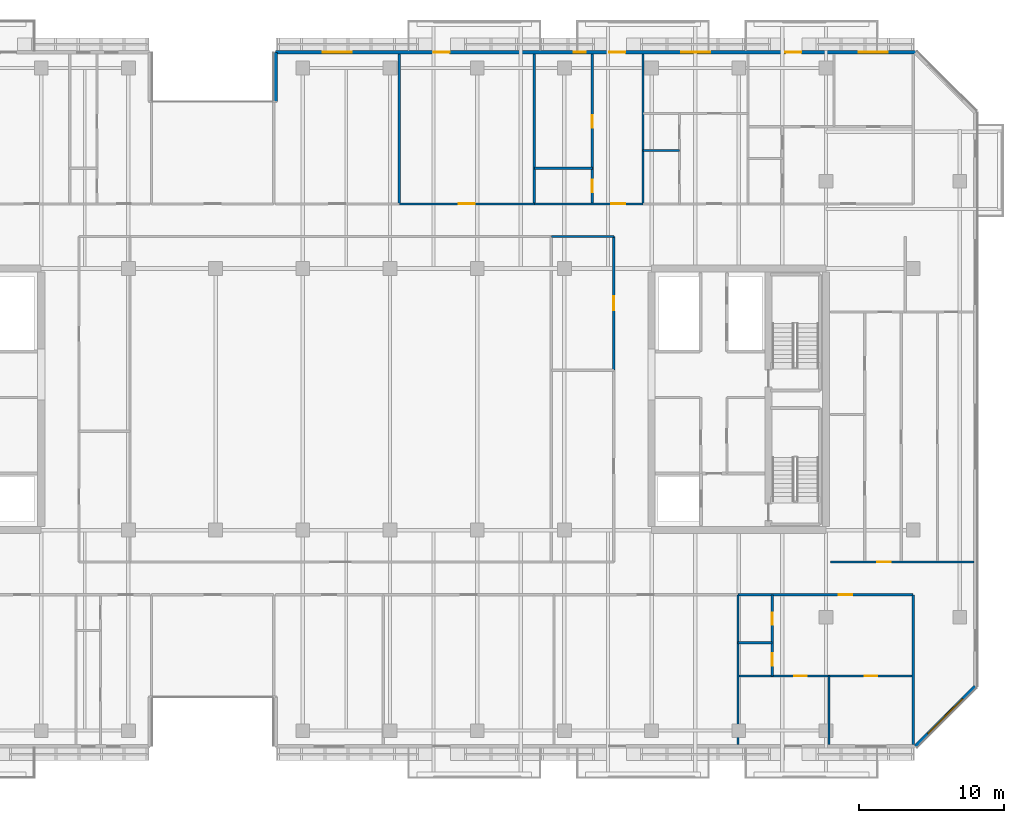
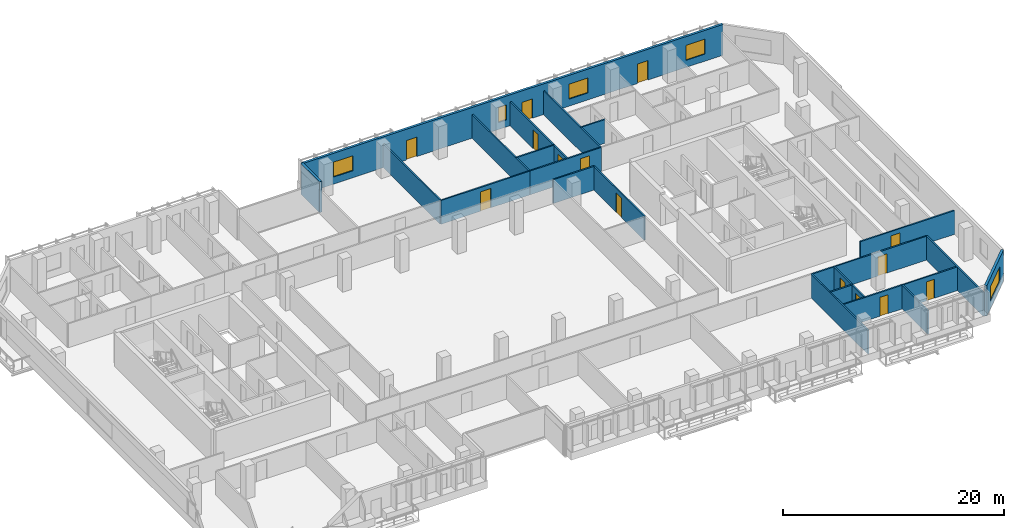
# One storey, part 13 of 22: 21 walls, 14 doors, 5 windows, 19 openings.
"""IFC4 building model written with IfcOpenShell, lengths in metres."""

from ifc_helpers import new_model, si_unit, direction, frame, frame_2d, origin, place, context, subcontext, project, spatial, rectangle, extrude, material, layer, layer_set, type_object, element, fill, save


model = new_model("IFC4")

# Units and contexts
model_context = context("Model", 3, precision=1e-05, world=origin(), true_north=direction((0.0, 1.0)))
body_context = subcontext(model_context, "Body", "Model", "MODEL_VIEW")
ifc_project = project(units=[si_unit("LENGTHUNIT", "METRE"), si_unit("AREAUNIT", "SQUARE_METRE"), si_unit("VOLUMEUNIT", "CUBIC_METRE"), si_unit("PLANEANGLEUNIT", "RADIAN"), si_unit("MASSUNIT", "GRAM", prefix="KILO")], contexts=[model_context])

# Site, building, storey
site_placement = place(None, origin())
site = spatial("IfcSite", under=ifc_project, at=site_placement, CompositionType="ELEMENT")
building_placement = place(site_placement, origin())
building = spatial("IfcBuilding", under=site, at=building_placement, Name="Tanjung Sevakor Pilgrim Tower", CompositionType="ELEMENT")
storey_placement = place(building_placement, frame((0.0, 0.0, 115.830078125)))
storey = spatial("IfcBuildingStorey", under=building, at=storey_placement, Name="L32", CompositionType="ELEMENT", Elevation=115.830078125)

# Wall
ifc_material_1 = material(Name="Concrete C40/50", Category="concrete")
ifc_layer_1 = layer(ifc_material_1, 0.14990234375)
ifc_layer_set_1 = layer_set([ifc_layer_1], Name="WT-COMP-150")
wall_type_1 = type_object("IfcWallType", Name="WT-COMP-150", PredefinedType="SOLIDWALL", material=ifc_layer_set_1)
wall_1_placement = place(storey_placement, frame((71.10009765625, 44.800048828125, 0.0), z_axis=(0.0, 0.0, 1.0), x_axis=(1.0, 0.0, 0.0)))
element("IfcWall", 1, at=wall_1_placement, inside=storey, type_object=wall_type_1, Name="L32 Partition IW-L32-033", PredefinedType="SOLIDWALL", context=body_context, shape_type="SweptSolid", body=[
    extrude(rectangle(XDim=4.2998046875, YDim=0.14990234375, at=frame_2d((2.14990234375, 0.0))), origin(), (0.0, 0.0, 1.0), 2.6298828125),
])

# Wall, opening, door
wall_2_placement = place(storey_placement, frame((75.39990234375, 35.60009765625, 0.0), z_axis=(0.0, 0.0, 1.0), x_axis=(0.0, 1.0, 0.0)))
wall_2 = element("IfcWall", 2, at=wall_2_placement, inside=storey, type_object=wall_type_1, Name="L32 Partition IW-L32-034", PredefinedType="SOLIDWALL", context=body_context, shape_type="SweptSolid", body=[
    extrude(rectangle(XDim=9.199951171875, YDim=0.14990234375, at=frame_2d((4.60009765625, 0.0))), origin(), (0.0, 0.0, 1.0), 2.6298828125),
])
opening_1_placement = place(wall_2_placement, frame((4.125, 0.0, 0.0)))
opening_1 = element("IfcOpeningElement", 3, at=opening_1_placement, cuts=wall_2, Name="Opening ID-RM1", PredefinedType="OPENING", context=body_context, shape_type="SweptSolid", body=[
    extrude(rectangle(XDim=0.949951171875, YDim=2.14990234375, at=frame_2d((0.47509765625, 1.074951171875))), frame((0.0, 0.0849609375, 0.0), z_axis=(0.0, -1.0, 0.0), x_axis=(1.0, 0.0, 0.0)), (0.0, 0.0, 1.0), 0.169921875),
])
ifc_material_2 = material(Name="Hardwood Timber", Category="wood")
door_type_1 = type_object("IfcDoorType", Name="DT-INT-950", OperationType="NOTDEFINED", PredefinedType="DOOR", material=ifc_material_2)
door_1_placement = place(opening_1_placement, origin())
door_1 = element("IfcDoor", 4, at=door_1_placement, inside=storey, type_object=door_type_1, Name="L32 Female Washroom Door", OperationType="SINGLE_SWING_RIGHT", OverallHeight=2.14990234375, OverallWidth=0.949951171875, PredefinedType="DOOR", context=body_context, shape_type="SweptSolid", body=[
    extrude(rectangle(XDim=0.949951171875, YDim=2.14990234375, at=frame_2d((0.47509765625, 1.074951171875))), frame((0.0, 0.02490234375, 0.0), z_axis=(0.0, -1.0, 0.0), x_axis=(1.0, 0.0, 0.0)), (0.0, 0.0, 1.0), 0.050048828125),
])
fill(opening_1, door_1)

wall_3_placement = place(storey_placement, frame((90.320068359375, 22.39990234375, 0.0), z_axis=(0.0, 0.0, 1.0), x_axis=(1.0, 0.0, 0.0)))
wall_3 = element("IfcWall", 5, at=wall_3_placement, inside=storey, type_object=wall_type_1, Name="L32 Partition IW-L32-042", PredefinedType="SOLIDWALL", context=body_context, shape_type="SweptSolid", body=[
    extrude(rectangle(XDim=9.869873046875, YDim=0.14990234375, at=frame_2d((4.93505859375, 0.0))), origin(), (0.0, 0.0, 1.0), 2.6298828125),
])
opening_2_placement = place(wall_3_placement, frame((3.193359375, 0.0, 0.0)))
opening_2 = element("IfcOpeningElement", 6, at=opening_2_placement, cuts=wall_3, Name="Opening ID-FD2", PredefinedType="OPENING", context=body_context, shape_type="SweptSolid", body=[
    extrude(rectangle(XDim=0.949951171875, YDim=2.14990234375, at=frame_2d((0.47509765625, 1.074951171875))), frame((0.0, 0.0849609375, 0.0), z_axis=(0.0, -1.0, 0.0), x_axis=(1.0, 0.0, 0.0)), (0.0, 0.0, 1.0), 0.169921875),
])
ifc_material_3 = material(Name="Fire-Rated Timber", Category="wood")
door_type_2 = type_object("IfcDoorType", Name="DT-FIRE-950", OperationType="NOTDEFINED", PredefinedType="DOOR", material=ifc_material_3)
door_2_placement = place(opening_2_placement, origin())
door_2 = element("IfcDoor", 7, at=door_2_placement, inside=storey, type_object=door_type_2, Name="Suite Entrance", OperationType="SINGLE_SWING_RIGHT", OverallHeight=2.14990234375, OverallWidth=0.949951171875, PredefinedType="DOOR", context=body_context, shape_type="SweptSolid", body=[
    extrude(rectangle(XDim=0.949951171875, YDim=2.14990234375, at=frame_2d((0.47509765625, 1.074951171875))), frame((0.0, 0.02490234375, 0.0), z_axis=(0.0, -1.0, 0.0), x_axis=(1.0, 0.0, 0.0)), (0.0, 0.0, 1.0), 0.050048828125),
])
fill(opening_2, door_2)

# Walls
for number, where, z_axis, x_axis, name in (
    (8, (96.0, 9.85009765625, 0.0), (0.0, 0.0, 1.0), (0.0, 1.0, 0.0), "L32 Partition IW-L32-057"),
    (9, (83.948486328125, 9.85009765625, 0.0), (0.0, 0.0, 1.0), (0.0, 1.0, 0.0), "L32 Partition IW-L32-062"),
):
    element("IfcWall", number, at=place(storey_placement, frame(where, z_axis=z_axis, x_axis=x_axis)), inside=storey, type_object=wall_type_1, Name=name, PredefinedType="SOLIDWALL", context=body_context, shape_type="SweptSolid", body=[
        extrude(rectangle(XDim=10.2998046875, YDim=0.14990234375, at=frame_2d((5.14990234375, 0.0))), origin(), (0.0, 0.0, 1.0), 2.6298828125),
    ])

# Wall, opening, door
wall_4_placement = place(storey_placement, frame((83.948486328125, 20.14990234375, 0.0), z_axis=(0.0, 0.0, 1.0), x_axis=(1.0, 0.0, 0.0)))
wall_4 = element("IfcWall", 10, at=wall_4_placement, inside=storey, type_object=wall_type_1, Name="L32 Partition IW-L32-068", PredefinedType="SOLIDWALL", context=body_context, shape_type="SweptSolid", body=[
    extrude(rectangle(XDim=12.051513671875, YDim=0.14990234375, at=frame_2d((6.02587890625, 0.0))), origin(), (0.0, 0.0, 1.0), 2.6298828125),
])
opening_3_placement = place(wall_4_placement, frame((6.915771484375, 0.0, 0.0)))
opening_3 = element("IfcOpeningElement", 11, at=opening_3_placement, cuts=wall_4, Name="Opening ID-FD2", PredefinedType="OPENING", context=body_context, shape_type="SweptSolid", body=[
    extrude(rectangle(XDim=0.949951171875, YDim=2.14990234375, at=frame_2d((0.47509765625, 1.074951171875))), frame((0.0, 0.0849609375, 0.0), z_axis=(0.0, -1.0, 0.0), x_axis=(1.0, 0.0, 0.0)), (0.0, 0.0, 1.0), 0.169921875),
])
door_3_placement = place(opening_3_placement, origin())
door_3 = element("IfcDoor", 12, at=door_3_placement, inside=storey, type_object=door_type_2, Name="Suite Entrance", OperationType="SINGLE_SWING_LEFT", OverallHeight=2.14990234375, OverallWidth=0.949951171875, PredefinedType="DOOR", context=body_context, shape_type="SweptSolid", body=[
    extrude(rectangle(XDim=0.949951171875, YDim=2.14990234375, at=frame_2d((0.47509765625, 1.074951171875))), frame((0.0, 0.02490234375, 0.0), z_axis=(0.0, -1.0, 0.0), x_axis=(1.0, 0.0, 0.0)), (0.0, 0.0, 1.0), 0.050048828125),
])
fill(opening_3, door_3)

# Walls
for number, where, z_axis, x_axis, name in (
    (13, (60.637939453125, 47.050048828125, 0.0), (0.0, 0.0, 1.0), (0.0, 1.0, 0.0), "L32 Partition IW-L32-084"),
    (14, (69.93017578125, 47.050048828125, 0.0), (0.0, 0.0, 1.0), (0.0, 1.0, 0.0), "L32 Partition IW-L32-086"),
):
    element("IfcWall", number, at=place(storey_placement, frame(where, z_axis=z_axis, x_axis=x_axis)), inside=storey, type_object=wall_type_1, Name=name, PredefinedType="SOLIDWALL", context=body_context, shape_type="SweptSolid", body=[
        extrude(rectangle(XDim=10.300048828125, YDim=0.14990234375, at=frame_2d((5.14990234375, 0.0))), origin(), (0.0, 0.0, 1.0), 2.6298828125),
    ])

# Wall, opening, door
wall_5_placement = place(storey_placement, frame((60.637939453125, 47.050048828125, 0.0), z_axis=(0.0, 0.0, 1.0), x_axis=(1.0, 0.0, 0.0)))
wall_5 = element("IfcWall", 15, at=wall_5_placement, inside=storey, type_object=wall_type_1, Name="L32 Partition IW-L32-087", PredefinedType="SOLIDWALL", context=body_context, shape_type="SweptSolid", body=[
    extrude(rectangle(XDim=9.292236328125, YDim=0.14990234375, at=frame_2d((4.64599609375, 0.0))), origin(), (0.0, 0.0, 1.0), 2.6298828125),
])
opening_4_placement = place(wall_5_placement, frame((4.09619140625, 0.0, 0.0)))
opening_4 = element("IfcOpeningElement", 16, at=opening_4_placement, cuts=wall_5, Name="Opening ID-FD0", PredefinedType="OPENING", context=body_context, shape_type="SweptSolid", body=[
    extrude(rectangle(XDim=1.10009765625, YDim=2.14990234375, at=frame_2d((0.550048828125, 1.074951171875))), frame((0.0, 0.0849609375, 0.0), z_axis=(0.0, -1.0, 0.0), x_axis=(1.0, 0.0, 0.0)), (0.0, 0.0, 1.0), 0.169921875),
])
ifc_material_4 = material(Name="Fire-Rated Steel S355J2", Category="steel")
door_type_3 = type_object("IfcDoorType", Name="DT-FIRE-1100", OperationType="NOTDEFINED", PredefinedType="DOOR", material=ifc_material_4)
door_4_placement = place(opening_4_placement, origin())
door_4 = element("IfcDoor", 17, at=door_4_placement, inside=storey, type_object=door_type_3, Name="Council Room Door", OperationType="SINGLE_SWING_RIGHT", OverallHeight=2.14990234375, OverallWidth=1.10009765625, PredefinedType="DOOR", context=body_context, shape_type="SweptSolid", body=[
    extrude(rectangle(XDim=1.10009765625, YDim=2.14990234375, at=frame_2d((0.550048828125, 1.074951171875))), frame((0.0, 0.02490234375, 0.0), z_axis=(0.0, -1.0, 0.0), x_axis=(1.0, 0.0, 0.0)), (0.0, 0.0, 1.0), 0.050048828125),
])
fill(opening_4, door_4)

# Wall
wall_6_placement = place(storey_placement, frame((77.41552734375, 47.050048828125, 0.0), z_axis=(0.0, 0.0, 1.0), x_axis=(0.0, 1.0, 0.0)))
element("IfcWall", 18, at=wall_6_placement, inside=storey, type_object=wall_type_1, Name="L32 Partition IW-L32-088", PredefinedType="SOLIDWALL", context=body_context, shape_type="SweptSolid", body=[
    extrude(rectangle(XDim=10.300048828125, YDim=0.14990234375, at=frame_2d((5.14990234375, 0.0))), origin(), (0.0, 0.0, 1.0), 2.6298828125),
])

# Wall, opening, door
wall_7_placement = place(storey_placement, frame((69.93017578125, 47.050048828125, 0.0), z_axis=(0.0, 0.0, 1.0), x_axis=(1.0, 0.0, 0.0)))
wall_7 = element("IfcWall", 19, at=wall_7_placement, inside=storey, type_object=wall_type_1, Name="L32 Partition IW-L32-091", PredefinedType="SOLIDWALL", context=body_context, shape_type="SweptSolid", body=[
    extrude(rectangle(XDim=7.4853515625, YDim=0.14990234375, at=frame_2d((3.74267578125, 0.0))), origin(), (0.0, 0.0, 1.0), 2.6298828125),
])
opening_5_placement = place(wall_7_placement, frame((5.302490234375, 0.0, 0.0)))
opening_5 = element("IfcOpeningElement", 20, at=opening_5_placement, cuts=wall_7, Name="Opening ID-FD2", PredefinedType="OPENING", context=body_context, shape_type="SweptSolid", body=[
    extrude(rectangle(XDim=0.949951171875, YDim=2.14990234375, at=frame_2d((0.47509765625, 1.074951171875))), frame((0.0, 0.0849609375, 0.0), z_axis=(0.0, -1.0, 0.0), x_axis=(1.0, 0.0, 0.0)), (0.0, 0.0, 1.0), 0.169921875),
])
door_5_placement = place(opening_5_placement, origin())
door_5 = element("IfcDoor", 21, at=door_5_placement, inside=storey, type_object=door_type_2, Name="Hostel Quad Entrance", OperationType="SINGLE_SWING_LEFT", OverallHeight=2.14990234375, OverallWidth=0.949951171875, PredefinedType="DOOR", context=body_context, shape_type="SweptSolid", body=[
    extrude(rectangle(XDim=0.949951171875, YDim=2.14990234375, at=frame_2d((0.47509765625, 1.074951171875))), frame((0.0, 0.02490234375, 0.0), z_axis=(0.0, -1.0, 0.0), x_axis=(1.0, 0.0, 0.0)), (0.0, 0.0, 1.0), 0.050048828125),
])
fill(opening_5, door_5)

# Wall, opening, window
ifc_material_5 = material(Name="Precast concrete C45/55", Category="concrete")
ifc_layer_2 = layer(ifc_material_5, 0.25)
ifc_layer_set_2 = layer_set([ifc_layer_2], Name="WT-EW-STN3")
wall_type_2 = type_object("IfcWallType", Name="WT-EW-STN3", PredefinedType="SOLIDWALL", material=ifc_layer_set_2)
wall_8_placement = place(storey_placement, frame((96.148193359375, 9.72509765625, 0.0), z_axis=(0.0, 0.0, 1.0), x_axis=(0.707106781187, 0.707106781187, 0.0)))
wall_8 = element("IfcWall", 22, at=wall_8_placement, inside=storey, type_object=wall_type_2, Name="L32 MAIN Sculpted Corner Wall 5", PredefinedType="SOLIDWALL", context=body_context, shape_type="SweptSolid", body=[
    extrude(rectangle(XDim=5.8359375, YDim=0.25, at=frame_2d((2.91796875, 0.0))), origin(), (0.0, 0.0, 1.0), 3.409912109375),
])
opening_6_placement = place(wall_8_placement, frame((1.218017578125, 0.0, 0.780029296875)))
opening_6 = element("IfcOpeningElement", 23, at=opening_6_placement, cuts=wall_8, Name="Opening WN-CHM-1660", PredefinedType="OPENING", context=body_context, shape_type="SweptSolid", body=[
    extrude(rectangle(XDim=3.39990234375, YDim=1.659912109375, at=frame_2d((1.699951171875, 0.830078125))), frame((0.0, 0.135009765625, 0.0), z_axis=(0.0, -1.0, 0.0), x_axis=(1.0, 0.0, 0.0)), (0.0, 0.0, 1.0), 0.27001953125),
])
ifc_material_6 = material(Name="Thermally Broken Aluminium and Low-E Glass", Category="aluminium")
window_type_1 = type_object("IfcWindowType", Name="WTYP-WN-CHM-1660", PartitioningType="DOUBLE_PANEL_VERTICAL", PredefinedType="WINDOW", material=ifc_material_6)
window_1_placement = place(opening_6_placement, origin())
window_1 = element("IfcWindow", 24, at=window_1_placement, inside=storey, type_object=window_type_1, Name="L32 Facade Window 01", OverallHeight=1.659912109375, OverallWidth=3.39990234375, PartitioningType="SINGLE_PANEL", PredefinedType="WINDOW", context=body_context, shape_type="SweptSolid", body=[
    extrude(rectangle(XDim=3.39990234375, YDim=1.659912109375, at=frame_2d((1.699951171875, 0.830078125))), frame((0.0, 0.030029296875, 0.0), z_axis=(0.0, -1.0, 0.0), x_axis=(1.0, 0.0, 0.0)), (0.0, 0.0, 1.0), 0.06005859375),
])
fill(opening_6, window_1)

# Wall, openings, doors, windows
wall_9_placement = place(storey_placement, frame((96.148193359375, 57.47509765625, 0.0), z_axis=(0.0, 0.0, 1.0), x_axis=(-1.0, 0.0, 0.0)))
wall_9 = element("IfcWall", 25, at=wall_9_placement, inside=storey, type_object=wall_type_2, Name="L32 MAIN Exterior Wall 9", PredefinedType="SOLIDWALL", context=body_context, shape_type="SweptSolid", body=[
    extrude(rectangle(XDim=44.023193359375, YDim=0.25, at=frame_2d((22.01171875, 0.0))), origin(), (0.0, 0.0, 1.0), 3.409912109375),
])
opening_7_placement = place(wall_9_placement, frame((32.048095703125, 0.0, 0.0)))
opening_7 = element("IfcOpeningElement", 26, at=opening_7_placement, cuts=wall_9, Name="Opening ED-BAL-1100", PredefinedType="OPENING", context=body_context, shape_type="SweptSolid", body=[
    extrude(rectangle(XDim=1.10009765625, YDim=2.14990234375, at=frame_2d((0.550048828125, 1.074951171875))), frame((0.0, 0.135009765625, 0.0), z_axis=(0.0, -1.0, 0.0), x_axis=(1.0, 0.0, 0.0)), (0.0, 0.0, 1.0), 0.27001953125),
])
opening_8_placement = place(wall_9_placement, frame((19.9482421875, 0.0, 0.0)))
opening_8 = element("IfcOpeningElement", 27, at=opening_8_placement, cuts=wall_9, Name="Opening ED-BAL-1100", PredefinedType="OPENING", context=body_context, shape_type="SweptSolid", body=[
    extrude(rectangle(XDim=1.10009765625, YDim=2.14990234375, at=frame_2d((0.550048828125, 1.074951171875))), frame((0.0, 0.135009765625, 0.0), z_axis=(0.0, -1.0, 0.0), x_axis=(1.0, 0.0, 0.0)), (0.0, 0.0, 1.0), 0.27001953125),
])
opening_9_placement = place(wall_9_placement, frame((7.84814453125, 0.0, 0.0)))
opening_9 = element("IfcOpeningElement", 28, at=opening_9_placement, cuts=wall_9, Name="Opening ED-BAL-1100", PredefinedType="OPENING", context=body_context, shape_type="SweptSolid", body=[
    extrude(rectangle(XDim=1.10009765625, YDim=2.14990234375, at=frame_2d((0.550048828125, 1.074951171875))), frame((0.0, 0.135009765625, 0.0), z_axis=(0.0, -1.0, 0.0), x_axis=(1.0, 0.0, 0.0)), (0.0, 0.0, 1.0), 0.27001953125),
])
opening_10_placement = place(wall_9_placement, frame((38.769287109375, 0.0, 0.780029296875)))
opening_10 = element("IfcOpeningElement", 29, at=opening_10_placement, cuts=wall_9, Name="Opening WN-Z2-1660", PredefinedType="OPENING", context=body_context, shape_type="SweptSolid", body=[
    extrude(rectangle(XDim=2.0, YDim=1.659912109375, at=frame_2d((1.0, 0.830078125))), frame((0.0, 0.135009765625, 0.0), z_axis=(0.0, -1.0, 0.0), x_axis=(1.0, 0.0, 0.0)), (0.0, 0.0, 1.0), 0.27001953125),
])
opening_11_placement = place(wall_9_placement, frame((22.668212890625, 0.0, 0.780029296875)))
opening_11 = element("IfcOpeningElement", 30, at=opening_11_placement, cuts=wall_9, Name="Opening WN-SLM", PredefinedType="OPENING", context=body_context, shape_type="SweptSolid", body=[
    extrude(rectangle(XDim=0.85009765625, YDim=1.64990234375, at=frame_2d((0.425048828125, 0.824951171875))), frame((0.0, 0.135009765625, 0.0), z_axis=(0.0, -1.0, 0.0), x_axis=(1.0, 0.0, 0.0)), (0.0, 0.0, 1.0), 0.27001953125),
])
opening_12_placement = place(wall_9_placement, frame((14.119140625, 0.0, 0.780029296875)))
opening_12 = element("IfcOpeningElement", 31, at=opening_12_placement, cuts=wall_9, Name="Opening WN-Z2-1660", PredefinedType="OPENING", context=body_context, shape_type="SweptSolid", body=[
    extrude(rectangle(XDim=2.0, YDim=1.659912109375, at=frame_2d((1.0, 0.830078125))), frame((0.0, 0.135009765625, 0.0), z_axis=(0.0, -1.0, 0.0), x_axis=(1.0, 0.0, 0.0)), (0.0, 0.0, 1.0), 0.27001953125),
])
opening_13_placement = place(wall_9_placement, frame((1.8837890625, 0.0, 0.780029296875)))
opening_13 = element("IfcOpeningElement", 32, at=opening_13_placement, cuts=wall_9, Name="Opening WN-Z2-1660", PredefinedType="OPENING", context=body_context, shape_type="SweptSolid", body=[
    extrude(rectangle(XDim=2.0, YDim=1.659912109375, at=frame_2d((1.0, 0.830078125))), frame((0.0, 0.135009765625, 0.0), z_axis=(0.0, -1.0, 0.0), x_axis=(1.0, 0.0, 0.0)), (0.0, 0.0, 1.0), 0.27001953125),
])
ifc_material_7 = material(Name="Anodised Aluminium and Laminated Glass", Category="aluminium")
door_type_4 = type_object("IfcDoorType", Name="DTYP-ED-BAL-1100", OperationType="NOTDEFINED", PredefinedType="DOOR", material=ifc_material_7)
door_6_placement = place(opening_7_placement, frame((1.10009765625, 0.0, 0.0), z_axis=(0.0, 0.0, 1.0), x_axis=(-1.0, 0.0, 0.0)))
door_6 = element("IfcDoor", 33, at=door_6_placement, inside=storey, type_object=door_type_4, Name="L32 Balcony Door MAIN-N2", OperationType="SINGLE_SWING_LEFT", OverallHeight=2.14990234375, OverallWidth=1.10009765625, PredefinedType="DOOR", context=body_context, shape_type="SweptSolid", body=[
    extrude(rectangle(XDim=1.10009765625, YDim=2.14990234375, at=frame_2d((0.550048828125, 1.074951171875))), frame((0.0, 0.02490234375, 0.0), z_axis=(0.0, -1.0, 0.0), x_axis=(1.0, 0.0, 0.0)), (0.0, 0.0, 1.0), 0.050048828125),
])
fill(opening_7, door_6)
door_7_placement = place(opening_8_placement, frame((1.10009765625, 0.0, 0.0), z_axis=(0.0, 0.0, 1.0), x_axis=(-1.0, 0.0, 0.0)))
door_7 = element("IfcDoor", 34, at=door_7_placement, inside=storey, type_object=door_type_4, Name="L32 Balcony Door MAIN-N3", OperationType="SINGLE_SWING_RIGHT", OverallHeight=2.14990234375, OverallWidth=1.10009765625, PredefinedType="DOOR", context=body_context, shape_type="SweptSolid", body=[
    extrude(rectangle(XDim=1.10009765625, YDim=2.14990234375, at=frame_2d((0.550048828125, 1.074951171875))), frame((0.0, 0.02490234375, 0.0), z_axis=(0.0, -1.0, 0.0), x_axis=(1.0, 0.0, 0.0)), (0.0, 0.0, 1.0), 0.050048828125),
])
fill(opening_8, door_7)
door_8_placement = place(opening_9_placement, frame((1.10009765625, 0.0, 0.0), z_axis=(0.0, 0.0, 1.0), x_axis=(-1.0, 0.0, 0.0)))
door_8 = element("IfcDoor", 35, at=door_8_placement, inside=storey, type_object=door_type_4, Name="L32 Balcony Door MAIN-N4", OperationType="SINGLE_SWING_LEFT", OverallHeight=2.14990234375, OverallWidth=1.10009765625, PredefinedType="DOOR", context=body_context, shape_type="SweptSolid", body=[
    extrude(rectangle(XDim=1.10009765625, YDim=2.14990234375, at=frame_2d((0.550048828125, 1.074951171875))), frame((0.0, 0.02490234375, 0.0), z_axis=(0.0, -1.0, 0.0), x_axis=(1.0, 0.0, 0.0)), (0.0, 0.0, 1.0), 0.050048828125),
])
fill(opening_9, door_8)
ifc_material_8 = material(Name="Thermally Broken Aluminium and Low-E Glass", Category="aluminium")
window_type_2 = type_object("IfcWindowType", Name="WTYP-WN-SLM", PartitioningType="SINGLE_PANEL", PredefinedType="WINDOW", material=ifc_material_8)
window_2_placement = place(opening_11_placement, origin())
window_2 = element("IfcWindow", 36, at=window_2_placement, inside=storey, type_object=window_type_2, Name="L32 Facade Window 02", OverallHeight=1.64990234375, OverallWidth=0.85009765625, PartitioningType="SINGLE_PANEL", PredefinedType="WINDOW", context=body_context, shape_type="SweptSolid", body=[
    extrude(rectangle(XDim=0.85009765625, YDim=1.64990234375, at=frame_2d((0.425048828125, 0.824951171875))), frame((0.0, 0.030029296875, 0.0), z_axis=(0.0, -1.0, 0.0), x_axis=(1.0, 0.0, 0.0)), (0.0, 0.0, 1.0), 0.06005859375),
])
fill(opening_11, window_2)
ifc_material_9 = material(Name="Thermally Broken Aluminium and Low-E Glass", Category="aluminium")
window_type_3 = type_object("IfcWindowType", Name="WTYP-WN-Z2-1660", PartitioningType="DOUBLE_PANEL_VERTICAL", PredefinedType="WINDOW", material=ifc_material_9)
window_3_placement = place(opening_10_placement, origin())
window_3 = element("IfcWindow", 37, at=window_3_placement, inside=storey, type_object=window_type_3, Name="L32 Facade Window 01", OverallHeight=1.659912109375, OverallWidth=2.0, PartitioningType="SINGLE_PANEL", PredefinedType="WINDOW", context=body_context, shape_type="SweptSolid", body=[
    extrude(rectangle(XDim=2.0, YDim=1.659912109375, at=frame_2d((1.0, 0.830078125))), frame((0.0, 0.030029296875, 0.0), z_axis=(0.0, -1.0, 0.0), x_axis=(1.0, 0.0, 0.0)), (0.0, 0.0, 1.0), 0.06005859375),
])
fill(opening_10, window_3)
window_4_placement = place(opening_12_placement, origin())
window_4 = element("IfcWindow", 38, at=window_4_placement, inside=storey, type_object=window_type_3, Name="L32 Facade Window 03", OverallHeight=1.659912109375, OverallWidth=2.0, PartitioningType="SINGLE_PANEL", PredefinedType="WINDOW", context=body_context, shape_type="SweptSolid", body=[
    extrude(rectangle(XDim=2.0, YDim=1.659912109375, at=frame_2d((1.0, 0.830078125))), frame((0.0, 0.030029296875, 0.0), z_axis=(0.0, -1.0, 0.0), x_axis=(1.0, 0.0, 0.0)), (0.0, 0.0, 1.0), 0.06005859375),
])
fill(opening_12, window_4)
window_5_placement = place(opening_13_placement, origin())
window_5 = element("IfcWindow", 39, at=window_5_placement, inside=storey, type_object=window_type_3, Name="L32 Facade Window 04", OverallHeight=1.659912109375, OverallWidth=2.0, PartitioningType="SINGLE_PANEL", PredefinedType="WINDOW", context=body_context, shape_type="SweptSolid", body=[
    extrude(rectangle(XDim=2.0, YDim=1.659912109375, at=frame_2d((1.0, 0.830078125))), frame((0.0, 0.030029296875, 0.0), z_axis=(0.0, -1.0, 0.0), x_axis=(1.0, 0.0, 0.0)), (0.0, 0.0, 1.0), 0.06005859375),
])
fill(opening_13, window_5)

# Walls
wall_10_placement = place(storey_placement, frame((52.125, 57.47509765625, 0.0), z_axis=(0.0, 0.0, 1.0), x_axis=(0.0, -1.0, 0.0)))
element("IfcWall", 40, at=wall_10_placement, inside=storey, type_object=wall_type_2, Name="L32 MAIN Exterior Wall 10", PredefinedType="SOLIDWALL", context=body_context, shape_type="SweptSolid", body=[
    extrude(rectangle(XDim=3.400146484375, YDim=0.25, at=frame_2d((1.7001953125, 0.0))), origin(), (0.0, 0.0, 1.0), 3.409912109375),
])
ifc_material_10 = material(Name="Gypsum Board Partition", Category="gypsum board")
ifc_layer_3 = layer(ifc_material_10, 0.14990234375)
ifc_layer_set_3 = layer_set([ifc_layer_3], Name="WT-PART-150")
wall_type_3 = type_object("IfcWallType", Name="WT-PART-150", PredefinedType="PARTITIONING", material=ifc_layer_set_3)
wall_11_placement = place(storey_placement, frame((83.948486328125, 16.850341796875, 0.0), z_axis=(0.0, 0.0, 1.0), x_axis=(1.0, 0.0, 0.0)))
element("IfcWall", 41, at=wall_11_placement, inside=storey, type_object=wall_type_3, Name="L32 Partition IW-L32-064", PredefinedType="PARTITIONING", context=body_context, shape_type="SweptSolid", body=[
    extrude(rectangle(XDim=2.349853515625, YDim=0.14990234375, at=frame_2d((1.1748046875, 0.0))), origin(), (0.0, 0.0, 1.0), 2.6298828125),
])

# Wall, openings, doors
wall_12_placement = place(storey_placement, frame((86.29833984375, 14.557373046875, 0.0), z_axis=(0.0, 0.0, 1.0), x_axis=(0.0, 1.0, 0.0)))
wall_12 = element("IfcWall", 42, at=wall_12_placement, inside=storey, type_object=wall_type_3, Name="L32 Partition IW-L32-065", PredefinedType="PARTITIONING", context=body_context, shape_type="SweptSolid", body=[
    extrude(rectangle(XDim=5.592529296875, YDim=0.14990234375, at=frame_2d((2.79638671875, 0.0))), origin(), (0.0, 0.0, 1.0), 2.6298828125),
])
opening_14_placement = place(wall_12_placement, frame((0.721435546875, 0.0, 0.0)))
opening_14 = element("IfcOpeningElement", 43, at=opening_14_placement, cuts=wall_12, Name="Opening ID-WC1", PredefinedType="OPENING", context=body_context, shape_type="SweptSolid", body=[
    extrude(rectangle(XDim=0.85009765625, YDim=2.10009765625, at=frame_2d((0.425048828125, 1.050048828125))), frame((0.0, 0.0849609375, 0.0), z_axis=(0.0, -1.0, 0.0), x_axis=(1.0, 0.0, 0.0)), (0.0, 0.0, 1.0), 0.169921875),
])
opening_15_placement = place(wall_12_placement, frame((3.517822265625, 0.0, 0.0)))
opening_15 = element("IfcOpeningElement", 44, at=opening_15_placement, cuts=wall_12, Name="Opening ID-WC1", PredefinedType="OPENING", context=body_context, shape_type="SweptSolid", body=[
    extrude(rectangle(XDim=0.85009765625, YDim=2.10009765625, at=frame_2d((0.425048828125, 1.050048828125))), frame((0.0, 0.0849609375, 0.0), z_axis=(0.0, -1.0, 0.0), x_axis=(1.0, 0.0, 0.0)), (0.0, 0.0, 1.0), 0.169921875),
])
ifc_material_11 = material(Name="Moisture-Resistant Timber", Category="wood")
door_type_5 = type_object("IfcDoorType", Name="DT-INT-850", OperationType="NOTDEFINED", PredefinedType="DOOR", material=ifc_material_11)
door_9_placement = place(opening_14_placement, origin())
door_9 = element("IfcDoor", 45, at=door_9_placement, inside=storey, type_object=door_type_5, Name="Suite Bathroom Door", OperationType="SINGLE_SWING_LEFT", OverallHeight=2.10009765625, OverallWidth=0.85009765625, PredefinedType="DOOR", context=body_context, shape_type="SweptSolid", body=[
    extrude(rectangle(XDim=0.85009765625, YDim=2.10009765625, at=frame_2d((0.425048828125, 1.050048828125))), frame((0.0, 0.02490234375, 0.0), z_axis=(0.0, -1.0, 0.0), x_axis=(1.0, 0.0, 0.0)), (0.0, 0.0, 1.0), 0.050048828125),
])
fill(opening_14, door_9)
door_10_placement = place(opening_15_placement, origin())
door_10 = element("IfcDoor", 46, at=door_10_placement, inside=storey, type_object=door_type_5, Name="Suite Kitchenette Door", OperationType="SINGLE_SWING_RIGHT", OverallHeight=2.10009765625, OverallWidth=0.85009765625, PredefinedType="DOOR", context=body_context, shape_type="SweptSolid", body=[
    extrude(rectangle(XDim=0.85009765625, YDim=2.10009765625, at=frame_2d((0.425048828125, 1.050048828125))), frame((0.0, 0.02490234375, 0.0), z_axis=(0.0, -1.0, 0.0), x_axis=(1.0, 0.0, 0.0)), (0.0, 0.0, 1.0), 0.050048828125),
])
fill(opening_15, door_10)

# Wall
wall_13_placement = place(storey_placement, frame((90.215087890625, 9.85009765625, 0.0), z_axis=(0.0, 0.0, 1.0), x_axis=(0.0, 1.0, 0.0)))
element("IfcWall", 47, at=wall_13_placement, inside=storey, type_object=wall_type_3, Name="L32 Partition IW-L32-066", PredefinedType="PARTITIONING", context=body_context, shape_type="SweptSolid", body=[
    extrude(rectangle(XDim=4.707275390625, YDim=0.14990234375, at=frame_2d((2.353515625, 0.0))), origin(), (0.0, 0.0, 1.0), 2.6298828125),
])

# Wall, openings, doors
wall_14_placement = place(storey_placement, frame((83.948486328125, 14.557373046875, 0.0), z_axis=(0.0, 0.0, 1.0), x_axis=(1.0, 0.0, 0.0)))
wall_14 = element("IfcWall", 48, at=wall_14_placement, inside=storey, type_object=wall_type_3, Name="L32 Partition IW-L32-067", PredefinedType="PARTITIONING", context=body_context, shape_type="SweptSolid", body=[
    extrude(rectangle(XDim=12.051513671875, YDim=0.14990234375, at=frame_2d((6.02587890625, 0.0))), origin(), (0.0, 0.0, 1.0), 2.6298828125),
])
opening_16_placement = place(wall_14_placement, frame((3.88330078125, 0.0, 0.0)))
opening_16 = element("IfcOpeningElement", 49, at=opening_16_placement, cuts=wall_14, Name="Opening ID-WC1", PredefinedType="OPENING", context=body_context, shape_type="SweptSolid", body=[
    extrude(rectangle(XDim=0.85009765625, YDim=2.10009765625, at=frame_2d((0.425048828125, 1.050048828125))), frame((0.0, 0.0849609375, 0.0), z_axis=(0.0, -1.0, 0.0), x_axis=(1.0, 0.0, 0.0)), (0.0, 0.0, 1.0), 0.169921875),
])
opening_17_placement = place(wall_14_placement, frame((8.734130859375, 0.0, 0.0)))
opening_17 = element("IfcOpeningElement", 50, at=opening_17_placement, cuts=wall_14, Name="Opening ID-WC1", PredefinedType="OPENING", context=body_context, shape_type="SweptSolid", body=[
    extrude(rectangle(XDim=0.85009765625, YDim=2.10009765625, at=frame_2d((0.425048828125, 1.050048828125))), frame((0.0, 0.0849609375, 0.0), z_axis=(0.0, -1.0, 0.0), x_axis=(1.0, 0.0, 0.0)), (0.0, 0.0, 1.0), 0.169921875),
])
door_11_placement = place(opening_16_placement, origin())
door_11 = element("IfcDoor", 51, at=door_11_placement, inside=storey, type_object=door_type_5, Name="Suite Bedroom 1 Door", OperationType="SINGLE_SWING_LEFT", OverallHeight=2.10009765625, OverallWidth=0.85009765625, PredefinedType="DOOR", context=body_context, shape_type="SweptSolid", body=[
    extrude(rectangle(XDim=0.85009765625, YDim=2.10009765625, at=frame_2d((0.425048828125, 1.050048828125))), frame((0.0, 0.02490234375, 0.0), z_axis=(0.0, -1.0, 0.0), x_axis=(1.0, 0.0, 0.0)), (0.0, 0.0, 1.0), 0.050048828125),
])
fill(opening_16, door_11)
door_12_placement = place(opening_17_placement, origin())
door_12 = element("IfcDoor", 52, at=door_12_placement, inside=storey, type_object=door_type_5, Name="Suite Bedroom 2 Door", OperationType="SINGLE_SWING_RIGHT", OverallHeight=2.10009765625, OverallWidth=0.85009765625, PredefinedType="DOOR", context=body_context, shape_type="SweptSolid", body=[
    extrude(rectangle(XDim=0.85009765625, YDim=2.10009765625, at=frame_2d((0.425048828125, 1.050048828125))), frame((0.0, 0.02490234375, 0.0), z_axis=(0.0, -1.0, 0.0), x_axis=(1.0, 0.0, 0.0)), (0.0, 0.0, 1.0), 0.050048828125),
])
fill(opening_17, door_12)

# Wall
wall_15_placement = place(storey_placement, frame((69.93017578125, 49.5, 0.0), z_axis=(0.0, 0.0, 1.0), x_axis=(1.0, 0.0, 0.0)))
element("IfcWall", 53, at=wall_15_placement, inside=storey, type_object=wall_type_3, Name="L32 Partition IW-L32-089", PredefinedType="PARTITIONING", context=body_context, shape_type="SweptSolid", body=[
    extrude(rectangle(XDim=3.98974609375, YDim=0.14990234375, at=frame_2d((1.994873046875, 0.0))), origin(), (0.0, 0.0, 1.0), 2.6298828125),
])

# Wall, openings, doors
wall_16_placement = place(storey_placement, frame((73.919921875, 47.050048828125, 0.0), z_axis=(0.0, 0.0, 1.0), x_axis=(0.0, 1.0, 0.0)))
wall_16 = element("IfcWall", 54, at=wall_16_placement, inside=storey, type_object=wall_type_3, Name="L32 Partition IW-L32-090", PredefinedType="PARTITIONING", context=body_context, shape_type="SweptSolid", body=[
    extrude(rectangle(XDim=10.300048828125, YDim=0.14990234375, at=frame_2d((5.14990234375, 0.0))), origin(), (0.0, 0.0, 1.0), 2.6298828125),
])
opening_18_placement = place(wall_16_placement, frame((0.800048828125, 0.0, 0.0)))
opening_18 = element("IfcOpeningElement", 55, at=opening_18_placement, cuts=wall_16, Name="Opening ID-WC1", PredefinedType="OPENING", context=body_context, shape_type="SweptSolid", body=[
    extrude(rectangle(XDim=0.85009765625, YDim=2.10009765625, at=frame_2d((0.425048828125, 1.050048828125))), frame((0.0, 0.0849609375, 0.0), z_axis=(0.0, -1.0, 0.0), x_axis=(1.0, 0.0, 0.0)), (0.0, 0.0, 1.0), 0.169921875),
])
opening_19_placement = place(wall_16_placement, frame((5.25, 0.0, 0.0)))
opening_19 = element("IfcOpeningElement", 56, at=opening_19_placement, cuts=wall_16, Name="Opening ID-WC1", PredefinedType="OPENING", context=body_context, shape_type="SweptSolid", body=[
    extrude(rectangle(XDim=0.85009765625, YDim=2.10009765625, at=frame_2d((0.425048828125, 1.050048828125))), frame((0.0, 0.0849609375, 0.0), z_axis=(0.0, -1.0, 0.0), x_axis=(1.0, 0.0, 0.0)), (0.0, 0.0, 1.0), 0.169921875),
])
door_13_placement = place(opening_18_placement, origin())
door_13 = element("IfcDoor", 57, at=door_13_placement, inside=storey, type_object=door_type_5, Name="Bathroom Door", OperationType="SINGLE_SWING_LEFT", OverallHeight=2.10009765625, OverallWidth=0.85009765625, PredefinedType="DOOR", context=body_context, shape_type="SweptSolid", body=[
    extrude(rectangle(XDim=0.85009765625, YDim=2.10009765625, at=frame_2d((0.425048828125, 1.050048828125))), frame((0.0, 0.02490234375, 0.0), z_axis=(0.0, -1.0, 0.0), x_axis=(1.0, 0.0, 0.0)), (0.0, 0.0, 1.0), 0.050048828125),
])
fill(opening_18, door_13)
door_14_placement = place(opening_19_placement, origin())
door_14 = element("IfcDoor", 58, at=door_14_placement, inside=storey, type_object=door_type_5, Name="Study Nook Door", OperationType="SINGLE_SWING_RIGHT", OverallHeight=2.10009765625, OverallWidth=0.85009765625, PredefinedType="DOOR", context=body_context, shape_type="SweptSolid", body=[
    extrude(rectangle(XDim=0.85009765625, YDim=2.10009765625, at=frame_2d((0.425048828125, 1.050048828125))), frame((0.0, 0.02490234375, 0.0), z_axis=(0.0, -1.0, 0.0), x_axis=(1.0, 0.0, 0.0)), (0.0, 0.0, 1.0), 0.050048828125),
])
fill(opening_19, door_14)

# Wall
wall_17_placement = place(storey_placement, frame((77.41552734375, 50.71875, 0.0), z_axis=(0.0, 0.0, 1.0), x_axis=(1.0, 0.0, 0.0)))
element("IfcWall", 59, at=wall_17_placement, inside=storey, type_object=wall_type_3, Name="L32 Partition IW-L32-093", PredefinedType="PARTITIONING", context=body_context, shape_type="SweptSolid", body=[
    extrude(rectangle(XDim=2.50439453125, YDim=0.14990234375, at=frame_2d((1.252197265625, 0.0))), origin(), (0.0, 0.0, 1.0), 2.6298828125),
])

save(model, "model.ifc")
